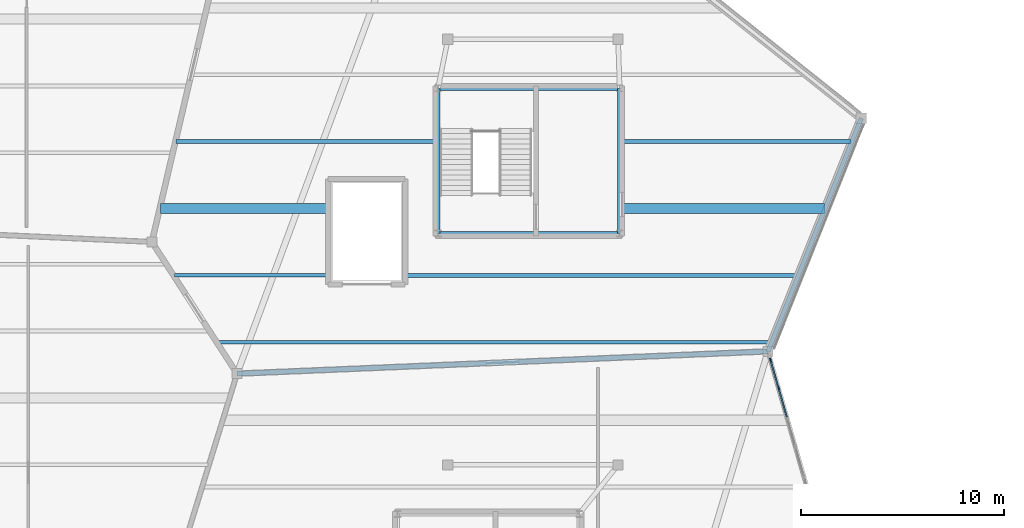
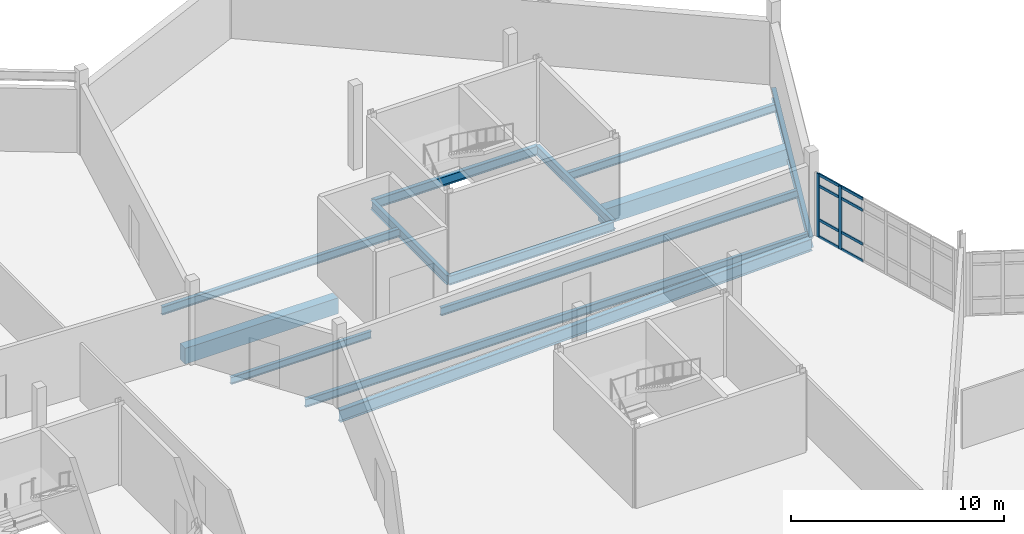
# One storey, part 56 of 134: 13 beams, 10 members, 1 element without a shape of its own.
"""IFC4 building model written with IfcOpenShell, lengths in metres."""

from ifc_helpers import new_model, si_unit, direction, frame, origin, origin_2d, place, context, subcontext, project, spatial, rectangle, i_section, extrude, material, material_profile, profile_set, type_object, element, aggregate, save


model = new_model("IFC4")

# Units and contexts
model_context = context("Model", 3, precision=1e-05, world=origin(), true_north=direction((0.0, 1.0)))
body_context = subcontext(model_context, "Body", "Model", "MODEL_VIEW")
ifc_project = project(units=[si_unit("LENGTHUNIT", "METRE"), si_unit("AREAUNIT", "SQUARE_METRE"), si_unit("VOLUMEUNIT", "CUBIC_METRE"), si_unit("PLANEANGLEUNIT", "RADIAN"), si_unit("MASSUNIT", "GRAM", prefix="KILO")], contexts=[model_context])

# Site, building, storey
site_placement = place(None, origin())
site = spatial("IfcSite", under=ifc_project, at=site_placement, CompositionType="ELEMENT")
building_placement = place(site_placement, origin())
building = spatial("IfcBuilding", under=site, at=building_placement, Name="Tameran Prism Museum", CompositionType="ELEMENT")
storey_placement = place(building_placement, frame((0.0, 0.0, 5.39990234375)))
storey = spatial("IfcBuildingStorey", under=building, at=storey_placement, Name="L01", CompositionType="ELEMENT", Elevation=5.39990234375)

# Beams
ifc_material_1 = material(Name="Steel Grade 300PLUS (300 MPa)", Category="steel")
ifc_material_profile_1 = material_profile(ifc_material_1, i_section(OverallWidth=0.177978515625, OverallDepth=0.406005859375, WebThickness=0.0078125, FlangeThickness=0.0126953125, FilletRadius=0.011474609375, at=origin_2d()))
ifc_profile_set_1 = profile_set([ifc_material_profile_1])
beam_type_1 = type_object("IfcBeamType", Name="BM-J410A", PredefinedType="JOIST", material=ifc_profile_set_1)
beam_1_placement = place(storey_placement, frame((28.513916015625, 86.35009765625, -0.462890625), z_axis=(1.0, 0.0, 0.0), x_axis=(0.0, 1.0, 0.0)))
element("IfcBeam", 1, at=beam_1_placement, inside=storey, type_object=beam_type_1, Name="Floor Beam BM-0623", PredefinedType="JOIST", context=body_context, shape_type="SweptSolid", body=[
    extrude(i_section(OverallWidth=0.177978515625, OverallDepth=0.406005859375, WebThickness=0.0078125, FlangeThickness=0.0126953125, FilletRadius=0.011474609375, at=origin_2d()), origin(), (0.0, 0.0, 1.0), 7.606201171875),
])
ifc_material_2 = material(Name="Steel Grade 300PLUS (300 MPa)", Category="steel")
ifc_material_profile_2 = material_profile(ifc_material_2, i_section(OverallWidth=0.19091796875, OverallDepth=0.4599609375, WebThickness=0.010009765625, FlangeThickness=0.01611328125, FilletRadius=0.011474609375, at=origin_2d()))
ifc_profile_set_2 = profile_set([ifc_material_profile_2])
beam_type_2 = type_object("IfcBeamType", Name="BM-J460A", PredefinedType="JOIST", material=ifc_profile_set_2)
beam_2_placement = place(storey_placement, frame((30.64599609375, 83.050048828125, -0.489990234375), z_axis=(1.0, 0.0, 0.0), x_axis=(0.0, 1.0, 0.0)))
element("IfcBeam", 2, at=beam_2_placement, inside=storey, type_object=beam_type_2, Name="Floor Beam BM-0622", PredefinedType="JOIST", context=body_context, shape_type="SweptSolid", body=[
    extrude(i_section(OverallWidth=0.19091796875, OverallDepth=0.4599609375, WebThickness=0.010009765625, FlangeThickness=0.01611328125, FilletRadius=0.011474609375, at=origin_2d()), origin(), (0.0, 0.0, 1.0), 27.291015625),
])
beam_3_placement = place(storey_placement, frame((39.8798828125, 86.35009765625, -0.489990234375), z_axis=(1.0, 0.0, 0.0), x_axis=(0.0, 1.0, 0.0)))
element("IfcBeam", 3, at=beam_3_placement, inside=storey, type_object=beam_type_2, Name="Floor Beam BM-0624", PredefinedType="JOIST", context=body_context, shape_type="SweptSolid", body=[
    extrude(i_section(OverallWidth=0.19091796875, OverallDepth=0.4599609375, WebThickness=0.010009765625, FlangeThickness=0.01611328125, FilletRadius=0.011474609375, at=origin_2d()), origin(), (0.0, 0.0, 1.0), 19.377197265625),
])
beam_4_placement = place(storey_placement, frame((28.60107421875, 92.949951171875, -0.489990234375), z_axis=(1.0, 0.0, 0.0), x_axis=(0.0, 1.0, 0.0)))
element("IfcBeam", 4, at=beam_4_placement, inside=storey, type_object=beam_type_2, Name="Floor Beam BM-0627", PredefinedType="JOIST", context=body_context, shape_type="SweptSolid", body=[
    extrude(i_section(OverallWidth=0.19091796875, OverallDepth=0.4599609375, WebThickness=0.010009765625, FlangeThickness=0.01611328125, FilletRadius=0.011474609375, at=origin_2d()), origin(), (0.0, 0.0, 1.0), 12.9189453125),
])
beam_5_placement = place(storey_placement, frame((50.47998046875, 92.949951171875, -0.489990234375), z_axis=(1.0, 0.0, 0.0), x_axis=(0.0, 1.0, 0.0)))
element("IfcBeam", 5, at=beam_5_placement, inside=storey, type_object=beam_type_2, Name="Floor Beam BM-0628", PredefinedType="JOIST", context=body_context, shape_type="SweptSolid", body=[
    extrude(i_section(OverallWidth=0.19091796875, OverallDepth=0.4599609375, WebThickness=0.010009765625, FlangeThickness=0.01611328125, FilletRadius=0.011474609375, at=origin_2d()), origin(), (0.0, 0.0, 1.0), 11.4169921875),
])
ifc_material_3 = material(Name="Concrete N40 (40 MPa)", Category="concrete")
ifc_material_profile_3 = material_profile(ifc_material_3, rectangle(XDim=0.5, YDim=0.89990234375, at=origin_2d()))
ifc_profile_set_3 = profile_set([ifc_material_profile_3])
beam_type_3 = type_object("IfcBeamType", Name="BM-RC900", PredefinedType="BEAM", material=ifc_profile_set_3)
beam_6_placement = place(storey_placement, frame((27.827880859375, 89.64990234375, -0.7099609375), z_axis=(1.0, 0.0, 0.0), x_axis=(0.0, 1.0, 0.0)))
element("IfcBeam", 6, at=beam_6_placement, inside=storey, type_object=beam_type_3, Name="Floor Beam BM-0625", PredefinedType="BEAM", context=body_context, shape_type="SweptSolid", body=[
    extrude(rectangle(XDim=0.5, YDim=0.89990234375, at=origin_2d()), origin(), (0.0, 0.0, 1.0), 8.292236328125),
])
beam_7_placement = place(storey_placement, frame((50.47998046875, 89.64990234375, -0.7099609375), z_axis=(1.0, 0.0, 0.0), x_axis=(0.0, 1.0, 0.0)))
element("IfcBeam", 7, at=beam_7_placement, inside=storey, type_object=beam_type_3, Name="Floor Beam BM-0626", PredefinedType="BEAM", context=body_context, shape_type="SweptSolid", body=[
    extrude(rectangle(XDim=0.5, YDim=0.89990234375, at=origin_2d()), origin(), (0.0, 0.0, 1.0), 10.096923828125),
])
ifc_material_4 = material(Name="Steel Grade 300PLUS (300 MPa)", Category="steel")
ifc_material_profile_4 = material_profile(ifc_material_4, i_section(OverallWidth=0.208984375, OverallDepth=0.528076171875, WebThickness=0.009521484375, FlangeThickness=0.01318359375, FilletRadius=0.013916015625, at=origin_2d()))
ifc_profile_set_4 = profile_set([ifc_material_profile_4])
beam_type_4 = type_object("IfcBeamType", Name="BM-SP530B", PredefinedType="SPANDREL", material=ifc_profile_set_4)
beam_8_placement = place(storey_placement, frame((41.52001953125, 88.419921875, -0.52392578125), z_axis=(1.0, 0.0, 0.0), x_axis=(0.0, 1.0, 0.0)))
element("IfcBeam", 8, at=beam_8_placement, inside=storey, type_object=beam_type_4, Name="Core Ring Beam CTB-0490", PredefinedType="SPANDREL", context=body_context, shape_type="SweptSolid", body=[
    extrude(i_section(OverallWidth=0.208984375, OverallDepth=0.528076171875, WebThickness=0.009521484375, FlangeThickness=0.01318359375, FilletRadius=0.013916015625, at=origin_2d()), origin(), (0.0, 0.0, 1.0), 8.9599609375),
])
beam_9_placement = place(storey_placement, frame((50.47998046875, 88.419921875, -0.52392578125), z_axis=(0.0, 1.0, 0.0), x_axis=(-1.0, 0.0, 0.0)))
element("IfcBeam", 9, at=beam_9_placement, inside=storey, type_object=beam_type_4, Name="Core Ring Beam CTB-0491", PredefinedType="SPANDREL", context=body_context, shape_type="SweptSolid", body=[
    extrude(i_section(OverallWidth=0.208984375, OverallDepth=0.528076171875, WebThickness=0.009521484375, FlangeThickness=0.01318359375, FilletRadius=0.013916015625, at=origin_2d()), origin(), (0.0, 0.0, 1.0), 7.16015625),
])
beam_10_placement = place(storey_placement, frame((50.47998046875, 95.580078125, -0.52392578125), z_axis=(-1.0, 0.0, 0.0), x_axis=(0.0, -1.0, 0.0)))
element("IfcBeam", 10, at=beam_10_placement, inside=storey, type_object=beam_type_4, Name="Core Ring Beam CTB-0492", PredefinedType="SPANDREL", context=body_context, shape_type="SweptSolid", body=[
    extrude(i_section(OverallWidth=0.208984375, OverallDepth=0.528076171875, WebThickness=0.009521484375, FlangeThickness=0.01318359375, FilletRadius=0.013916015625, at=origin_2d()), origin(), (0.0, 0.0, 1.0), 8.9599609375),
])
beam_11_placement = place(storey_placement, frame((41.52001953125, 95.580078125, -0.52392578125), z_axis=(0.0, -1.0, 0.0), x_axis=(1.0, 0.0, 0.0)))
element("IfcBeam", 11, at=beam_11_placement, inside=storey, type_object=beam_type_4, Name="Core Ring Beam CTB-0493", PredefinedType="SPANDREL", context=body_context, shape_type="SweptSolid", body=[
    extrude(i_section(OverallWidth=0.208984375, OverallDepth=0.528076171875, WebThickness=0.009521484375, FlangeThickness=0.01318359375, FilletRadius=0.013916015625, at=origin_2d()), origin(), (0.0, 0.0, 1.0), 7.16015625),
])
ifc_material_5 = material(Name="Steel Grade 300PLUS (300 MPa)", Category="steel")
ifc_material_profile_5 = material_profile(ifc_material_5, i_section(OverallWidth=0.22802734375, OverallDepth=0.60205078125, WebThickness=0.010498046875, FlangeThickness=0.014892578125, FilletRadius=0.013916015625, at=origin_2d()))
ifc_profile_set_5 = profile_set([ifc_material_profile_5])
beam_type_5 = type_object("IfcBeamType", Name="BM-SP610", PredefinedType="SPANDREL", material=ifc_profile_set_5)
beam_12_placement = place(storey_placement, frame((57.800048828125, 82.60009765625, -0.560791015625), z_axis=(0.371380480835, 0.928480769028, 0.0), x_axis=(-0.928480769028, 0.371380480835, 0.0)))
element("IfcBeam", 12, at=beam_12_placement, inside=storey, type_object=beam_type_5, Name="Perimeter Spandrel SP-0415", PredefinedType="SPANDREL", context=body_context, shape_type="SweptSolid", body=[
    extrude(i_section(OverallWidth=0.22802734375, OverallDepth=0.60205078125, WebThickness=0.010498046875, FlangeThickness=0.014892578125, FilletRadius=0.013916015625, at=origin_2d()), origin(), (0.0, 0.0, 1.0), 12.3857421875),
])
ifc_material_6 = material(Name="Steel Grade 350 (350 MPa)", Category="steel")
ifc_material_profile_6 = material_profile(ifc_material_6, i_section(OverallWidth=0.25, OverallDepth=0.699951171875, WebThickness=0.010009765625, FlangeThickness=0.02001953125, at=origin_2d()))
ifc_profile_set_6 = profile_set([ifc_material_profile_6])
beam_type_6 = type_object("IfcBeamType", Name="BM-SP700", PredefinedType="SPANDREL", material=ifc_profile_set_6)
beam_13_placement = place(storey_placement, frame((57.800048828125, 82.60009765625, -0.60986328125), z_axis=(-0.999119645224, -0.041951573605, 0.0), x_axis=(0.041951573605, -0.999119645224, 0.0)))
element("IfcBeam", 13, at=beam_13_placement, inside=storey, type_object=beam_type_6, Name="Perimeter Spandrel SP-0411", PredefinedType="SPANDREL", context=body_context, shape_type="SweptSolid", body=[
    extrude(i_section(OverallWidth=0.25, OverallDepth=0.699951171875, WebThickness=0.010009765625, FlangeThickness=0.02001953125, at=origin_2d()), origin(), (0.0, 0.0, 1.0), 26.22314453125),
])

# Curtain wall, members
ifc_material_7 = material(Name="Anodised Aluminium 6063-T6 and Cyclone Solar Glass", Category="aluminium")
curtain_wall_type = type_object("IfcCurtainWallType", Name="CW-FAC-896x362", PredefinedType="USERDEFINED", material=ifc_material_7)
curtain_wall_placement = place(storey_placement, origin())
curtain_wall = element("IfcCurtainWall", 14, at=curtain_wall_placement, inside=storey, type_object=curtain_wall_type, Name="Unitised Curtain Wall CW-092", ObjectType="UNITISED CURTAIN WALL", PredefinedType="USERDEFINED")
ifc_material_8 = material(Name="Anodised Aluminium Alloy 6063-T6", Category="aluminium")
ifc_material_profile_7 = material_profile(ifc_material_8, rectangle(XDim=0.070068359375, YDim=0.179931640625, at=origin_2d()))
ifc_profile_set_7 = profile_set([ifc_material_profile_7])
member_type_1 = type_object("IfcMemberType", Name="CW-MUL-B", PredefinedType="MULLION", material=ifc_profile_set_7)
member_1_placement = place(storey_placement, frame((57.923583984375, 82.17236328125, 0.0), z_axis=(0.0, 0.0, 1.0), x_axis=(0.961186288279, 0.275900197941, 0.0)))
member_1 = element("IfcMember", 15, at=member_1_placement, type_object=member_type_1, Name="CW-092 mullion 1", PredefinedType="MULLION", context=body_context, shape_type="SweptSolid", body=[
    extrude(rectangle(XDim=0.070068359375, YDim=0.179931640625, at=origin_2d()), origin(), (0.0, 0.0, 1.0), 3.6201171875),
])
member_2_placement = place(storey_placement, frame((58.325927734375, 80.770751953125, 0.0), z_axis=(0.0, 0.0, 1.0), x_axis=(0.961186288279, 0.275900197941, 0.0)))
member_2 = element("IfcMember", 16, at=member_2_placement, type_object=member_type_1, Name="CW-092 mullion 2", PredefinedType="MULLION", context=body_context, shape_type="SweptSolid", body=[
    extrude(rectangle(XDim=0.070068359375, YDim=0.179931640625, at=origin_2d()), origin(), (0.0, 0.0, 1.0), 3.6201171875),
])
ifc_material_9 = material(Name="Anodised Aluminium Alloy 6063-T6", Category="aluminium")
ifc_material_profile_8 = material_profile(ifc_material_9, rectangle(XDim=0.070068359375, YDim=0.155029296875, at=origin_2d()))
ifc_profile_set_8 = profile_set([ifc_material_profile_8])
member_type_2 = type_object("IfcMemberType", Name="CW-TRN-B", PredefinedType="USERDEFINED", material=ifc_profile_set_8)
member_3_placement = place(storey_placement, frame((57.933349609375, 82.138671875, 0.03515625), z_axis=(0.275905404571, -0.961184793746, 0.0), x_axis=(0.961184793746, 0.275905404571, 0.0)))
member_3 = element("IfcMember", 17, at=member_3_placement, type_object=member_type_2, Name="CW-092 transom 1.1", ObjectType="TRANSOM", PredefinedType="USERDEFINED", context=body_context, shape_type="SweptSolid", body=[
    extrude(rectangle(XDim=0.070068359375, YDim=0.155029296875, at=origin_2d()), origin(), (0.0, 0.0, 1.0), 1.388427734375),
])
member_4_placement = place(storey_placement, frame((57.933349609375, 82.138671875, 1.0), z_axis=(0.275905404571, -0.961184793746, 0.0), x_axis=(0.961184793746, 0.275905404571, 0.0)))
member_4 = element("IfcMember", 18, at=member_4_placement, type_object=member_type_2, Name="CW-092 transom 1.2", ObjectType="TRANSOM", PredefinedType="USERDEFINED", context=body_context, shape_type="SweptSolid", body=[
    extrude(rectangle(XDim=0.070068359375, YDim=0.155029296875, at=origin_2d()), origin(), (0.0, 0.0, 1.0), 1.388427734375),
])
member_5_placement = place(storey_placement, frame((57.933349609375, 82.138671875, 2.940185546875), z_axis=(0.275905404571, -0.961184793746, 0.0), x_axis=(0.961184793746, 0.275905404571, 0.0)))
member_5 = element("IfcMember", 19, at=member_5_placement, type_object=member_type_2, Name="CW-092 transom 1.3", ObjectType="TRANSOM", PredefinedType="USERDEFINED", context=body_context, shape_type="SweptSolid", body=[
    extrude(rectangle(XDim=0.070068359375, YDim=0.155029296875, at=origin_2d()), origin(), (0.0, 0.0, 1.0), 1.388427734375),
])
member_6_placement = place(storey_placement, frame((57.933349609375, 82.138671875, 3.585205078125), z_axis=(0.275905404571, -0.961184793746, 0.0), x_axis=(0.961184793746, 0.275905404571, 0.0)))
member_6 = element("IfcMember", 20, at=member_6_placement, type_object=member_type_2, Name="CW-092 transom 1.4", ObjectType="TRANSOM", PredefinedType="USERDEFINED", context=body_context, shape_type="SweptSolid", body=[
    extrude(rectangle(XDim=0.070068359375, YDim=0.155029296875, at=origin_2d()), origin(), (0.0, 0.0, 1.0), 1.388427734375),
])
member_7_placement = place(storey_placement, frame((58.335693359375, 80.737060546875, 0.03515625), z_axis=(0.27580834078, -0.961212650331, 0.0), x_axis=(0.961212650331, 0.27580834078, 0.0)))
member_7 = element("IfcMember", 21, at=member_7_placement, type_object=member_type_2, Name="CW-092 transom 2.1", ObjectType="TRANSOM", PredefinedType="USERDEFINED", context=body_context, shape_type="SweptSolid", body=[
    extrude(rectangle(XDim=0.070068359375, YDim=0.155029296875, at=origin_2d()), origin(), (0.0, 0.0, 1.0), 1.42333984375),
])
member_8_placement = place(storey_placement, frame((58.335693359375, 80.737060546875, 1.0), z_axis=(0.27580834078, -0.961212650331, 0.0), x_axis=(0.961212650331, 0.27580834078, 0.0)))
member_8 = element("IfcMember", 22, at=member_8_placement, type_object=member_type_2, Name="CW-092 transom 2.2", ObjectType="TRANSOM", PredefinedType="USERDEFINED", context=body_context, shape_type="SweptSolid", body=[
    extrude(rectangle(XDim=0.070068359375, YDim=0.155029296875, at=origin_2d()), origin(), (0.0, 0.0, 1.0), 1.42333984375),
])
member_9_placement = place(storey_placement, frame((58.335693359375, 80.737060546875, 2.940185546875), z_axis=(0.27580834078, -0.961212650331, 0.0), x_axis=(0.961212650331, 0.27580834078, 0.0)))
member_9 = element("IfcMember", 23, at=member_9_placement, type_object=member_type_2, Name="CW-092 transom 2.3", ObjectType="TRANSOM", PredefinedType="USERDEFINED", context=body_context, shape_type="SweptSolid", body=[
    extrude(rectangle(XDim=0.070068359375, YDim=0.155029296875, at=origin_2d()), origin(), (0.0, 0.0, 1.0), 1.42333984375),
])
member_10_placement = place(storey_placement, frame((58.335693359375, 80.737060546875, 3.585205078125), z_axis=(0.27580834078, -0.961212650331, 0.0), x_axis=(0.961212650331, 0.27580834078, 0.0)))
member_10 = element("IfcMember", 24, at=member_10_placement, type_object=member_type_2, Name="CW-092 transom 2.4", ObjectType="TRANSOM", PredefinedType="USERDEFINED", context=body_context, shape_type="SweptSolid", body=[
    extrude(rectangle(XDim=0.070068359375, YDim=0.155029296875, at=origin_2d()), origin(), (0.0, 0.0, 1.0), 1.42333984375),
])
aggregate(curtain_wall, [member_1, member_2, member_3, member_4, member_5, member_6, member_7, member_8, member_9, member_10])

save(model, "model.ifc")
